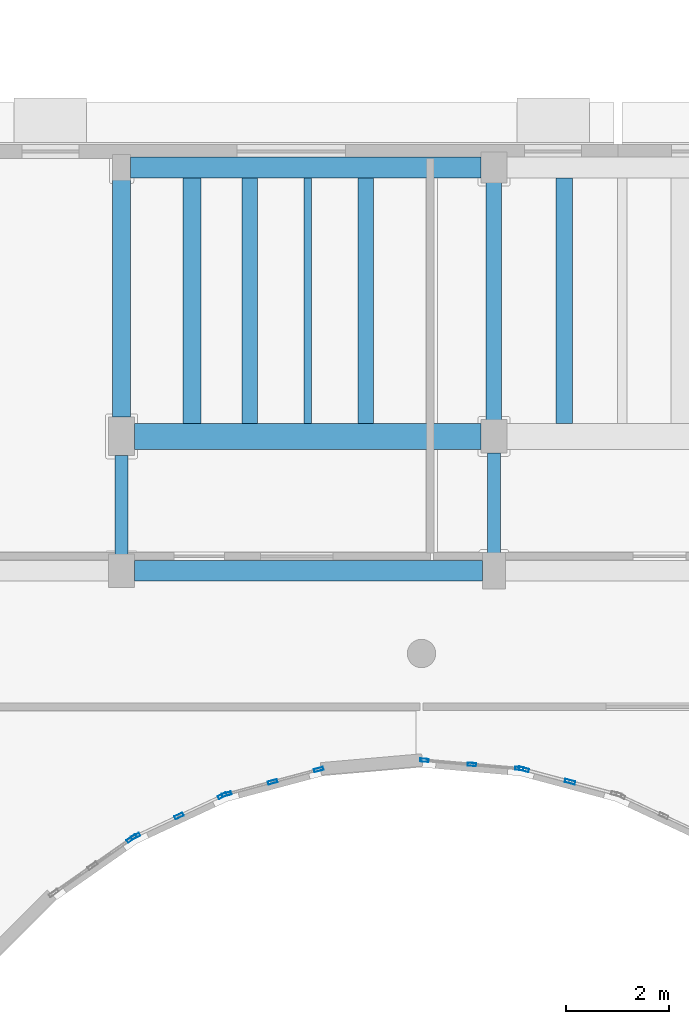
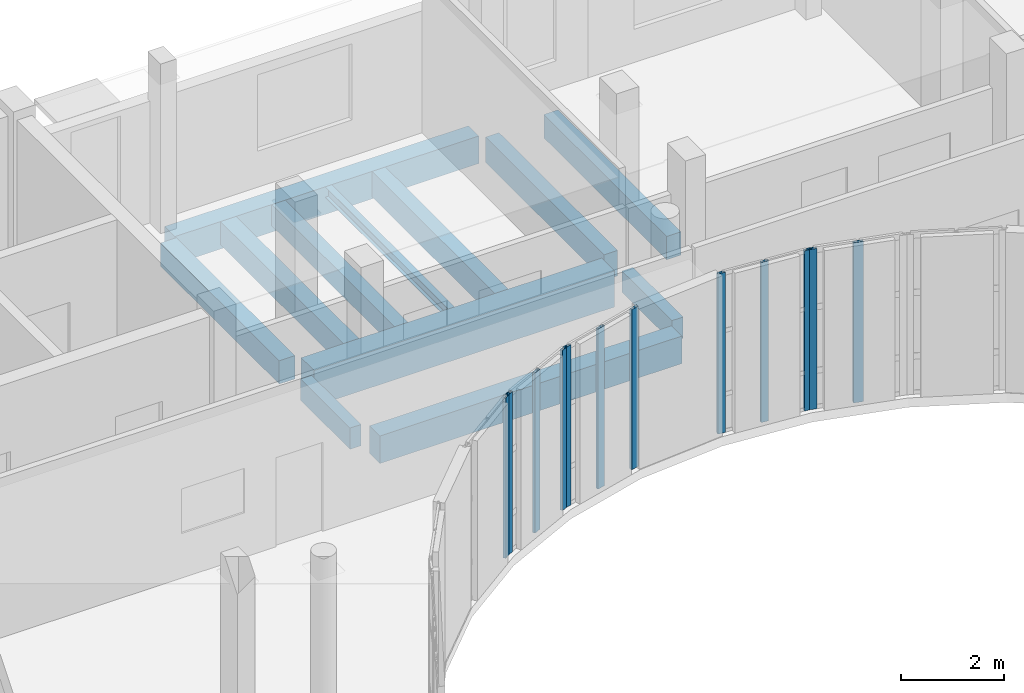
# One storey, part 23 of 92: 12 beams, 12 members, 5 elements without a shape of their own.
"""IFC4 building model written with IfcOpenShell, lengths in metres."""

from ifc_helpers import new_model, si_unit, direction, frame, origin, origin_2d, place, context, subcontext, project, spatial, rectangle, hollow_rectangle, i_section, extrude, material, layer, layer_set, material_profile, profile_set, type_object, element, aggregate, save


model = new_model("IFC4")

# Units and contexts
model_context = context("Model", 3, precision=1e-05, world=origin(), true_north=direction((0.0, 1.0)))
body_context = subcontext(model_context, "Body", "Model", "MODEL_VIEW")
ifc_project = project(units=[si_unit("LENGTHUNIT", "METRE"), si_unit("AREAUNIT", "SQUARE_METRE"), si_unit("VOLUMEUNIT", "CUBIC_METRE"), si_unit("PLANEANGLEUNIT", "RADIAN"), si_unit("MASSUNIT", "GRAM", prefix="KILO")], contexts=[model_context])

# Site, building, storey
site_placement = place(None, origin())
site = spatial("IfcSite", under=ifc_project, at=site_placement, CompositionType="ELEMENT")
building_placement = place(site_placement, origin())
building = spatial("IfcBuilding", under=site, at=building_placement, Name="Kelanivale Promenade Academy", CompositionType="ELEMENT")
storey_placement = place(building_placement, frame((0.0, 0.0, 8.199951171875)))
storey = spatial("IfcBuildingStorey", under=building, at=storey_placement, Name="L02", CompositionType="ELEMENT", Elevation=8.199951171875)

# Beams
ifc_material_1 = material(Name="Concrete C35/45", Category="concrete")
ifc_material_profile_1 = material_profile(ifc_material_1, rectangle(XDim=0.39990234375, YDim=0.64990234375, at=origin_2d()), Name="RC-BM 400x650")
ifc_profile_set_1 = profile_set([ifc_material_profile_1], Name="Concrete C35/45")
beam_type_1 = type_object("IfcBeamType", Name="BM-01 RC-BM 400x650", PredefinedType="BEAM", material=ifc_profile_set_1)
beam_1_placement = place(storey_placement, frame((57.844970703125, 71.60009765625, -0.544921875), z_axis=(1.0, 0.0, 0.0), x_axis=(0.0, 1.0, 0.0)))
element("IfcBeam", 1, at=beam_1_placement, inside=storey, type_object=beam_type_1, Name="L02 girder BM-01", PredefinedType="BEAM", context=body_context, shape_type="SweptSolid", body=[
    extrude(rectangle(XDim=0.39990234375, YDim=0.64990234375, at=origin_2d()), origin(), (0.0, 0.0, 1.0), 6.735107421875),
])
beam_2_placement = place(storey_placement, frame((57.77001953125, 79.39990234375, -0.544921875), z_axis=(1.0, 0.0, 0.0), x_axis=(0.0, 1.0, 0.0)))
element("IfcBeam", 2, at=beam_2_placement, inside=storey, type_object=beam_type_1, Name="L02 girder BM-01", PredefinedType="BEAM", context=body_context, shape_type="SweptSolid", body=[
    extrude(rectangle(XDim=0.39990234375, YDim=0.64990234375, at=origin_2d()), origin(), (0.0, 0.0, 1.0), 6.784912109375),
])
ifc_material_profile_2 = material_profile(ifc_material_1, rectangle(XDim=0.5, YDim=0.85009765625, at=origin_2d()), Name="RC-BM 500x850")
ifc_profile_set_2 = profile_set([ifc_material_profile_2], Name="Concrete C35/45")
beam_type_2 = type_object("IfcBeamType", Name="BM-07 RC-BM 500x850", PredefinedType="BEAM", material=ifc_profile_set_2)
beam_3_placement = place(storey_placement, frame((57.844970703125, 74.199951171875, -0.64501953125), z_axis=(1.0, 0.0, 0.0), x_axis=(0.0, 1.0, 0.0)))
element("IfcBeam", 3, at=beam_3_placement, inside=storey, type_object=beam_type_2, Name="L02 girder BM-07", PredefinedType="BEAM", context=body_context, shape_type="SweptSolid", body=[
    extrude(rectangle(XDim=0.5, YDim=0.85009765625, at=origin_2d()), origin(), (0.0, 0.0, 1.0), 6.7099609375),
])

# Curtain wall, members
ifc_material_2 = material(Name="Bronze anodised aluminium and solar-control low-E glass", Category="aluminium")
ifc_layer_1 = layer(ifc_material_2, 0.169921875)
ifc_layer_set_1 = layer_set([ifc_layer_1], Name="Bronze anodised aluminium and solar-control low-E glass")
curtain_wall_type_1 = type_object("IfcCurtainWallType", Name="CW-13 Curtain Wall 1350mm Module", PredefinedType="USERDEFINED", material=ifc_layer_set_1)
curtain_wall_1_placement = place(storey_placement, origin())
curtain_wall_1 = element("IfcCurtainWall", 4, at=curtain_wall_1_placement, inside=storey, type_object=curtain_wall_type_1, Name="L02 courtyard curtain wall CW-13", ObjectType="COURTYARD SCREEN GLAZING", PredefinedType="USERDEFINED")
ifc_material_3 = material(Name="Bronze anodised aluminium EN AW-6063 T6", Category="aluminium")
ifc_material_profile_3 = material_profile(ifc_material_3, hollow_rectangle(XDim=0.06005859375, YDim=0.159912109375, WallThickness=0.00390625, at=origin_2d()), Name="ALU 60x160x4.0")
ifc_profile_set_3 = profile_set([ifc_material_profile_3], Name="Bronze anodised aluminium EN AW-6063 T6")
member_type_1 = type_object("IfcMemberType", Name="CWM-01 ALU 60x160x4.0", PredefinedType="MULLION", material=ifc_profile_set_3)
member_1_placement = place(storey_placement, frame((65.292236328125, 67.774658203125, 0.0), z_axis=(0.0, 0.0, 1.0), x_axis=(-0.087264768066, -0.996185153601, 0.0)))
member_1 = element("IfcMember", 5, at=member_1_placement, type_object=member_type_1, Name="CW-13 mullion 1", PredefinedType="MULLION", context=body_context, shape_type="SweptSolid", body=[
    extrude(hollow_rectangle(XDim=0.06005859375, YDim=0.159912109375, WallThickness=0.00390625, at=origin_2d()), origin(), (0.0, 0.0, 1.0), 3.780029296875),
])
member_2_placement = place(storey_placement, frame((64.37451171875, 67.85498046875, 0.0), z_axis=(0.0, 0.0, 1.0), x_axis=(-0.087264768066, -0.996185153601, 0.0)))
member_2 = element("IfcMember", 6, at=member_2_placement, type_object=member_type_1, Name="CW-13 mullion 2", PredefinedType="MULLION", context=body_context, shape_type="SweptSolid", body=[
    extrude(hollow_rectangle(XDim=0.06005859375, YDim=0.159912109375, WallThickness=0.00390625, at=origin_2d()), origin(), (0.0, 0.0, 1.0), 3.780029296875),
])
member_3_placement = place(storey_placement, frame((63.456787109375, 67.935302734375, 0.0), z_axis=(0.0, 0.0, 1.0), x_axis=(-0.087264768066, -0.996185153601, 0.0)))
member_3 = element("IfcMember", 7, at=member_3_placement, type_object=member_type_1, Name="CW-13 mullion 3", PredefinedType="MULLION", context=body_context, shape_type="SweptSolid", body=[
    extrude(hollow_rectangle(XDim=0.06005859375, YDim=0.159912109375, WallThickness=0.00390625, at=origin_2d()), origin(), (0.0, 0.0, 1.0), 3.780029296875),
])
aggregate(curtain_wall_1, [member_1, member_2, member_3])

ifc_layer_2 = layer(ifc_material_2, 0.179931640625)
ifc_layer_set_2 = layer_set([ifc_layer_2], Name="Bronze anodised aluminium and solar-control low-E glass")
curtain_wall_type_2 = type_object("IfcCurtainWallType", Name="CW-14 Curtain Wall 1500mm Module", PredefinedType="USERDEFINED", material=ifc_layer_set_2)
curtain_wall_2_placement = place(storey_placement, origin())
curtain_wall_2 = element("IfcCurtainWall", 8, at=curtain_wall_2_placement, inside=storey, type_object=curtain_wall_type_2, Name="L02 courtyard curtain wall CW-14", ObjectType="COURTYARD SCREEN GLAZING", PredefinedType="USERDEFINED")
ifc_material_profile_4 = material_profile(ifc_material_3, hollow_rectangle(XDim=0.06005859375, YDim=0.179931640625, WallThickness=0.00390625, at=origin_2d()), Name="ALU 60x180x4.0")
ifc_profile_set_4 = profile_set([ifc_material_profile_4], Name="Bronze anodised aluminium EN AW-6063 T6")
member_type_2 = type_object("IfcMemberType", Name="CWM-02 ALU 60x180x4.0", PredefinedType="MULLION", material=ifc_profile_set_4)
member_4_placement = place(storey_placement, frame((61.4111328125, 67.75634765625, 0.0), z_axis=(0.0, 0.0, 1.0), x_axis=(0.258578458902, -0.965990259056, 0.0)))
member_4 = element("IfcMember", 9, at=member_4_placement, type_object=member_type_2, Name="CW-14 mullion 1", PredefinedType="MULLION", context=body_context, shape_type="SweptSolid", body=[
    extrude(hollow_rectangle(XDim=0.06005859375, YDim=0.179931640625, WallThickness=0.00390625, at=origin_2d()), origin(), (0.0, 0.0, 1.0), 3.780029296875),
])
member_5_placement = place(storey_placement, frame((60.52099609375, 67.51806640625, 0.0), z_axis=(0.0, 0.0, 1.0), x_axis=(0.258578458902, -0.965990259056, 0.0)))
member_5 = element("IfcMember", 10, at=member_5_placement, type_object=member_type_2, Name="CW-14 mullion 2", PredefinedType="MULLION", context=body_context, shape_type="SweptSolid", body=[
    extrude(hollow_rectangle(XDim=0.06005859375, YDim=0.179931640625, WallThickness=0.00390625, at=origin_2d()), origin(), (0.0, 0.0, 1.0), 3.780029296875),
])
member_6_placement = place(storey_placement, frame((59.630859375, 67.27978515625, 0.0), z_axis=(0.0, 0.0, 1.0), x_axis=(0.258578458902, -0.965990259056, 0.0)))
member_6 = element("IfcMember", 11, at=member_6_placement, type_object=member_type_2, Name="CW-14 mullion 3", PredefinedType="MULLION", context=body_context, shape_type="SweptSolid", body=[
    extrude(hollow_rectangle(XDim=0.06005859375, YDim=0.179931640625, WallThickness=0.00390625, at=origin_2d()), origin(), (0.0, 0.0, 1.0), 3.780029296875),
])
aggregate(curtain_wall_2, [member_4, member_5, member_6])

ifc_layer_3 = layer(ifc_material_2, 0.159912109375)
ifc_layer_set_3 = layer_set([ifc_layer_3], Name="Bronze anodised aluminium and solar-control low-E glass")
curtain_wall_type_3 = type_object("IfcCurtainWallType", Name="CW-15 Curtain Wall 1650mm Module", PredefinedType="USERDEFINED", material=ifc_layer_set_3)
curtain_wall_3_placement = place(storey_placement, origin())
curtain_wall_3 = element("IfcCurtainWall", 12, at=curtain_wall_3_placement, inside=storey, type_object=curtain_wall_type_3, Name="L02 courtyard curtain wall CW-15", ObjectType="COURTYARD SCREEN GLAZING", PredefinedType="USERDEFINED")
ifc_material_profile_5 = material_profile(ifc_material_3, hollow_rectangle(XDim=0.06494140625, YDim=0.175048828125, WallThickness=0.00390625, at=origin_2d()), Name="ALU 65x175x4.0")
ifc_profile_set_5 = profile_set([ifc_material_profile_5], Name="Bronze anodised aluminium EN AW-6063 T6")
member_type_3 = type_object("IfcMemberType", Name="CWM-03 ALU 65x175x4.0", PredefinedType="MULLION", material=ifc_profile_set_5)
member_7_placement = place(storey_placement, frame((59.549560546875, 67.250244140625, 0.0), z_axis=(0.0, 0.0, 1.0), x_axis=(0.422856921222, -0.906196460032, 0.0)))
member_7 = element("IfcMember", 13, at=member_7_placement, type_object=member_type_3, Name="CW-15 mullion 1", PredefinedType="MULLION", context=body_context, shape_type="SweptSolid", body=[
    extrude(hollow_rectangle(XDim=0.06494140625, YDim=0.175048828125, WallThickness=0.00390625, at=origin_2d()), origin(), (0.0, 0.0, 1.0), 3.780029296875),
])
member_8_placement = place(storey_placement, frame((58.7099609375, 66.8583984375, 0.0), z_axis=(0.0, 0.0, 1.0), x_axis=(0.422856921222, -0.906196460032, 0.0)))
member_8 = element("IfcMember", 14, at=member_8_placement, type_object=member_type_3, Name="CW-15 mullion 2", PredefinedType="MULLION", context=body_context, shape_type="SweptSolid", body=[
    extrude(hollow_rectangle(XDim=0.06494140625, YDim=0.175048828125, WallThickness=0.00390625, at=origin_2d()), origin(), (0.0, 0.0, 1.0), 3.780029296875),
])
member_9_placement = place(storey_placement, frame((57.870361328125, 66.466796875, 0.0), z_axis=(0.0, 0.0, 1.0), x_axis=(0.422856921222, -0.906196460032, 0.0)))
member_9 = element("IfcMember", 15, at=member_9_placement, type_object=member_type_3, Name="CW-15 mullion 3", PredefinedType="MULLION", context=body_context, shape_type="SweptSolid", body=[
    extrude(hollow_rectangle(XDim=0.06494140625, YDim=0.175048828125, WallThickness=0.00390625, at=origin_2d()), origin(), (0.0, 0.0, 1.0), 3.780029296875),
])
aggregate(curtain_wall_3, [member_7, member_8, member_9])

ifc_layer_4 = layer(ifc_material_2, 0.159912109375)
ifc_layer_set_4 = layer_set([ifc_layer_4], Name="Bronze anodised aluminium and solar-control low-E glass")
curtain_wall_type_4 = type_object("IfcCurtainWallType", Name="CW-12 Curtain Wall 1200mm Module", PredefinedType="USERDEFINED", material=ifc_layer_set_4)
curtain_wall_4_placement = place(storey_placement, origin())
curtain_wall_4 = element("IfcCurtainWall", 16, at=curtain_wall_4_placement, inside=storey, type_object=curtain_wall_type_4, Name="L02 courtyard curtain wall CW-12", ObjectType="UNITISED GLAZING", PredefinedType="USERDEFINED")
ifc_material_profile_6 = material_profile(ifc_material_3, hollow_rectangle(XDim=0.06494140625, YDim=0.199951171875, WallThickness=0.00439453125, at=origin_2d()), Name="ALU 65x200x4.5")
ifc_profile_set_6 = profile_set([ifc_material_profile_6], Name="Bronze anodised aluminium EN AW-6063 T6")
member_type_4 = type_object("IfcMemberType", Name="CWM-04 ALU 65x200x4.5", PredefinedType="MULLION", material=ifc_profile_set_6)
member_10_placement = place(storey_placement, frame((66.27197265625, 67.52001953125, 0.0), z_axis=(0.0, 0.0, 1.0), x_axis=(-0.258701323721, -0.96595736195, 0.0)))
member_10 = element("IfcMember", 17, at=member_10_placement, type_object=member_type_4, Name="CW-12 mullion 2", PredefinedType="MULLION", context=body_context, shape_type="SweptSolid", body=[
    extrude(hollow_rectangle(XDim=0.06494140625, YDim=0.199951171875, WallThickness=0.00439453125, at=origin_2d()), origin(), (0.0, 0.0, 1.0), 3.780029296875),
])
member_11_placement = place(storey_placement, frame((65.37744140625, 67.759521484375, 0.0), z_axis=(0.0, 0.0, 1.0), x_axis=(-0.258701323721, -0.96595736195, 0.0)))
member_11 = element("IfcMember", 18, at=member_11_placement, type_object=member_type_4, Name="CW-12 mullion 3", PredefinedType="MULLION", context=body_context, shape_type="SweptSolid", body=[
    extrude(hollow_rectangle(XDim=0.06494140625, YDim=0.199951171875, WallThickness=0.00439453125, at=origin_2d()), origin(), (0.0, 0.0, 1.0), 3.780029296875),
])
aggregate(curtain_wall_4, [member_10, member_11])

# Curtain wall, member
ifc_layer_5 = layer(ifc_material_2, 0.169921875)
ifc_layer_set_5 = layer_set([ifc_layer_5], Name="Bronze anodised aluminium and solar-control low-E glass")
curtain_wall_type_5 = type_object("IfcCurtainWallType", Name="CW-16 Curtain Wall 1800mm Module", PredefinedType="USERDEFINED", material=ifc_layer_set_5)
curtain_wall_5_placement = place(storey_placement, origin())
curtain_wall_5 = element("IfcCurtainWall", 19, at=curtain_wall_5_placement, inside=storey, type_object=curtain_wall_type_5, Name="L02 courtyard curtain wall CW-16", ObjectType="COURTYARD SCREEN GLAZING", PredefinedType="USERDEFINED")
member_12_placement = place(storey_placement, frame((57.79345703125, 66.42236328125, 0.0), z_axis=(0.0, 0.0, 1.0), x_axis=(0.573356527561, -0.819305982099, 0.0)))
member_12 = element("IfcMember", 20, at=member_12_placement, type_object=member_type_4, Name="CW-16 mullion 1", PredefinedType="MULLION", context=body_context, shape_type="SweptSolid", body=[
    extrude(hollow_rectangle(XDim=0.06494140625, YDim=0.199951171875, WallThickness=0.00439453125, at=origin_2d()), origin(), (0.0, 0.0, 1.0), 3.780029296875),
])
aggregate(curtain_wall_5, [member_12])

# Beams
ifc_material_profile_7 = material_profile(ifc_material_1, rectangle(XDim=0.300048828125, YDim=0.5, at=origin_2d()), Name="RC-BM 300x500")
ifc_profile_set_7 = profile_set([ifc_material_profile_7], Name="Concrete C35/45")
beam_type_3 = type_object("IfcBeamType", Name="JS-01 RC-BM 300x500", PredefinedType="JOIST", material=ifc_profile_set_7)
beam_4_placement = place(storey_placement, frame((60.08203125, 74.449951171875, -0.469970703125), z_axis=(0.0, 1.0, 0.0), x_axis=(-1.0, 0.0, 0.0)))
element("IfcBeam", 21, at=beam_4_placement, inside=storey, type_object=beam_type_3, Name="L02 secondary sub-beam JS-01", PredefinedType="JOIST", context=body_context, shape_type="SweptSolid", body=[
    extrude(rectangle(XDim=0.300048828125, YDim=0.5, at=origin_2d()), origin(), (0.0, 0.0, 1.0), 4.75),
])
ifc_material_profile_8 = material_profile(ifc_material_1, rectangle(XDim=0.300048828125, YDim=0.60009765625, at=origin_2d()), Name="RC-BM 300x600")
ifc_profile_set_8 = profile_set([ifc_material_profile_8], Name="Concrete C35/45")
beam_type_4 = type_object("IfcBeamType", Name="JS-03 RC-BM 300x600", PredefinedType="JOIST", material=ifc_profile_set_8)
beam_5_placement = place(storey_placement, frame((64.800048828125, 74.52001953125, -0.52001953125), z_axis=(0.0, 1.0, 0.0), x_axis=(-1.0, 0.0, 0.0)))
element("IfcBeam", 22, at=beam_5_placement, inside=storey, type_object=beam_type_4, Name="L02 beam JS-03", PredefinedType="JOIST", context=body_context, shape_type="SweptSolid", body=[
    extrude(rectangle(XDim=0.300048828125, YDim=0.60009765625, at=origin_2d()), origin(), (0.0, 0.0, 1.0), 4.5849609375),
])
beam_6_placement = place(storey_placement, frame((62.318115234375, 74.449951171875, -0.52001953125), z_axis=(0.0, 1.0, 0.0), x_axis=(-1.0, 0.0, 0.0)))
element("IfcBeam", 23, at=beam_6_placement, inside=storey, type_object=beam_type_4, Name="L02 secondary sub-beam JS-03", PredefinedType="JOIST", context=body_context, shape_type="SweptSolid", body=[
    extrude(rectangle(XDim=0.300048828125, YDim=0.60009765625, at=origin_2d()), origin(), (0.0, 0.0, 1.0), 4.75),
])
ifc_material_profile_9 = material_profile(ifc_material_1, rectangle(XDim=0.320068359375, YDim=0.550048828125, at=origin_2d()), Name="RC-BM 320x550")
ifc_profile_set_9 = profile_set([ifc_material_profile_9], Name="Concrete C35/45")
beam_type_5 = type_object("IfcBeamType", Name="JS-04 RC-BM 320x550", PredefinedType="JOIST", material=ifc_profile_set_9)
beam_7_placement = place(storey_placement, frame((66.1630859375, 74.449951171875, -0.494873046875), z_axis=(0.0, 1.0, 0.0), x_axis=(-1.0, 0.0, 0.0)))
element("IfcBeam", 24, at=beam_7_placement, inside=storey, type_object=beam_type_5, Name="L02 secondary sub-beam JS-04", PredefinedType="JOIST", context=body_context, shape_type="SweptSolid", body=[
    extrude(rectangle(XDim=0.320068359375, YDim=0.550048828125, at=origin_2d()), origin(), (0.0, 0.0, 1.0), 4.75),
])
ifc_material_profile_10 = material_profile(ifc_material_1, rectangle(XDim=0.35009765625, YDim=0.550048828125, at=origin_2d()), Name="RC-BM 350x550")
ifc_profile_set_10 = profile_set([ifc_material_profile_10], Name="Concrete C35/45")
beam_type_6 = type_object("IfcBeamType", Name="JS-06 RC-BM 350x550", PredefinedType="JOIST", material=ifc_profile_set_10)
beam_8_placement = place(storey_placement, frame((57.60009765625, 74.570068359375, -0.494873046875), z_axis=(0.0, 1.0, 0.0), x_axis=(-1.0, 0.0, 0.0)))
element("IfcBeam", 25, at=beam_8_placement, inside=storey, type_object=beam_type_6, Name="L02 beam JS-06", PredefinedType="JOIST", context=body_context, shape_type="SweptSolid", body=[
    extrude(rectangle(XDim=0.35009765625, YDim=0.550048828125, at=origin_2d()), origin(), (0.0, 0.0, 1.0), 4.5849609375),
])
beam_9_placement = place(storey_placement, frame((58.962890625, 74.449951171875, -0.494873046875), z_axis=(0.0, 1.0, 0.0), x_axis=(-1.0, 0.0, 0.0)))
element("IfcBeam", 26, at=beam_9_placement, inside=storey, type_object=beam_type_6, Name="L02 secondary sub-beam JS-06", PredefinedType="JOIST", context=body_context, shape_type="SweptSolid", body=[
    extrude(rectangle(XDim=0.35009765625, YDim=0.550048828125, at=origin_2d()), origin(), (0.0, 0.0, 1.0), 4.75),
])
ifc_material_profile_11 = material_profile(ifc_material_1, rectangle(XDim=0.25, YDim=0.5, at=origin_2d()), Name="RC-BM 250x500")
ifc_profile_set_11 = profile_set([ifc_material_profile_11], Name="Concrete C35/45")
beam_type_7 = type_object("IfcBeamType", Name="LN-02 RC-BM 250x500", PredefinedType="LINTEL", material=ifc_profile_set_11)
beam_10_placement = place(storey_placement, frame((57.60009765625, 71.919921875, -0.469970703125), z_axis=(0.0, 1.0, 0.0), x_axis=(-1.0, 0.0, 0.0)))
element("IfcBeam", 27, at=beam_10_placement, inside=storey, type_object=beam_type_7, Name="L02 beam LN-02", PredefinedType="LINTEL", context=body_context, shape_type="SweptSolid", body=[
    extrude(rectangle(XDim=0.25, YDim=0.5, at=origin_2d()), origin(), (0.0, 0.0, 1.0), 1.91015625),
])
beam_11_placement = place(storey_placement, frame((64.800048828125, 71.945068359375, -0.469970703125), z_axis=(0.0, 1.0, 0.0), x_axis=(-1.0, 0.0, 0.0)))
element("IfcBeam", 28, at=beam_11_placement, inside=storey, type_object=beam_type_7, Name="L02 beam LN-02", PredefinedType="LINTEL", context=body_context, shape_type="SweptSolid", body=[
    extrude(rectangle(XDim=0.25, YDim=0.5, at=origin_2d()), origin(), (0.0, 0.0, 1.0), 1.934814453125),
])
ifc_material_4 = material(Name="Steel S355", Category="steel")
ifc_material_profile_12 = material_profile(ifc_material_4, i_section(OverallWidth=0.14599609375, OverallDepth=0.25146484375, WebThickness=0.006103515625, FlangeThickness=0.008544921875, FilletRadius=0.007568359375, at=origin_2d()), Name="UB 254x146x31")
ifc_profile_set_12 = profile_set([ifc_material_profile_12], Name="Steel S355")
beam_type_8 = type_object("IfcBeamType", Name="SB-02 UB 254x146x31", PredefinedType="JOIST", material=ifc_profile_set_12)
beam_12_placement = place(storey_placement, frame((61.199951171875, 74.449951171875, -0.345947265625), z_axis=(0.0, 1.0, 0.0), x_axis=(-1.0, 0.0, 0.0)))
element("IfcBeam", 29, at=beam_12_placement, inside=storey, type_object=beam_type_8, Name="L02 secondary sub-beam SB-02", PredefinedType="JOIST", context=body_context, shape_type="SweptSolid", body=[
    extrude(i_section(OverallWidth=0.14599609375, OverallDepth=0.25146484375, WebThickness=0.006103515625, FlangeThickness=0.008544921875, FilletRadius=0.007568359375, at=origin_2d()), origin(), (0.0, 0.0, 1.0), 4.75),
])

save(model, "model.ifc")
